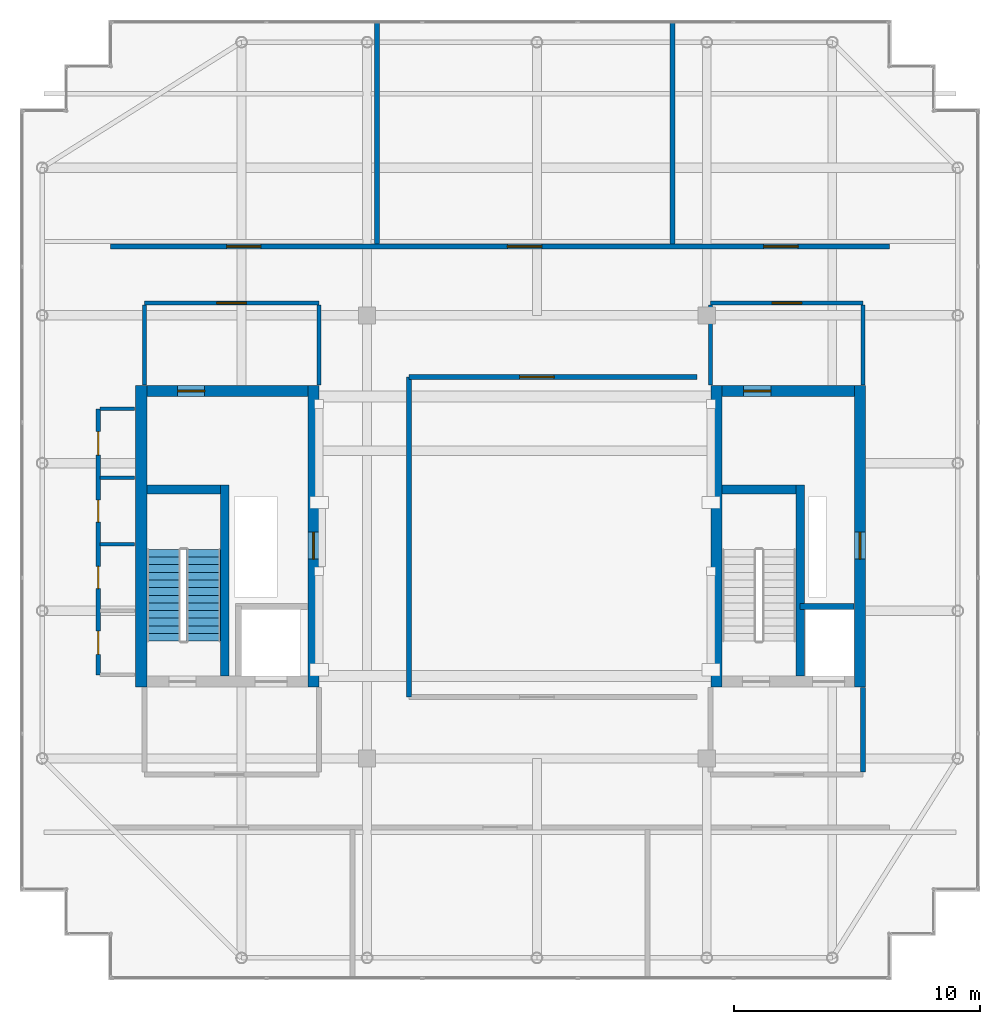
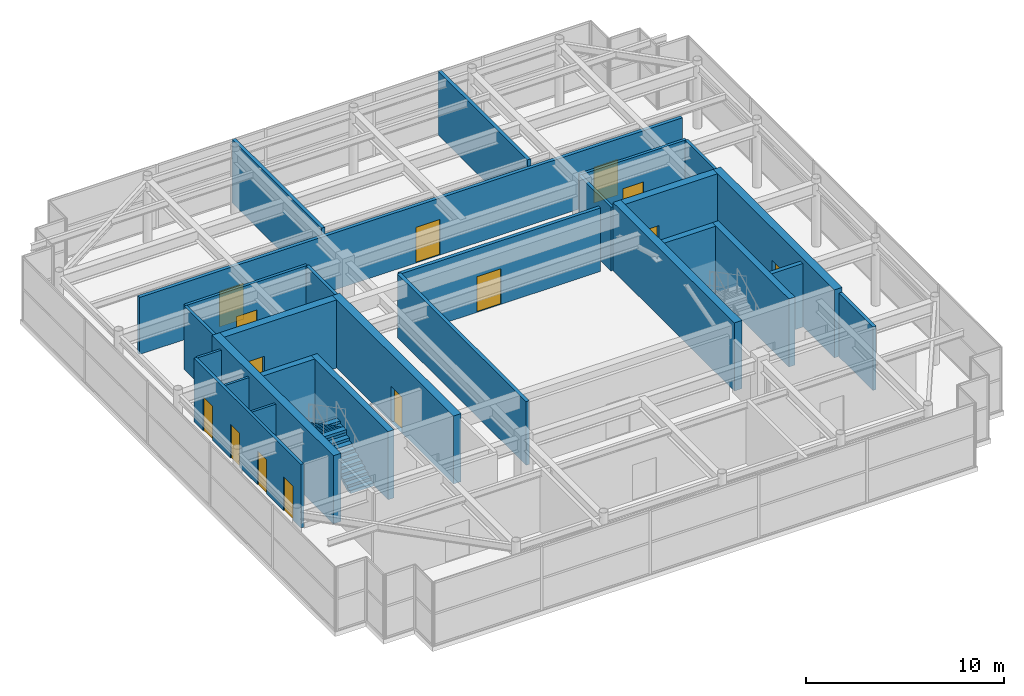
# One storey, part 31 of 33: 27 walls, 14 doors, 2 stair flights, 14 openings, 1 element without a shape of its own.
"""IFC4 building model written with IfcOpenShell, lengths in metres."""

from ifc_helpers import new_model, si_unit, direction, frame, frame_2d, origin, place, context, subcontext, project, spatial, polyline, rectangle, outline, extrude, source, transform, mapped, material, layer, layer_set, type_object, element, fill, aggregate, save


model = new_model("IFC4")

# Units and contexts
model_context = context("Model", 3, precision=1e-05, world=origin(), true_north=direction((0.0, 1.0)))
body_context = subcontext(model_context, "Body", "Model", "MODEL_VIEW")
ifc_project = project(units=[si_unit("LENGTHUNIT", "METRE"), si_unit("AREAUNIT", "SQUARE_METRE"), si_unit("VOLUMEUNIT", "CUBIC_METRE"), si_unit("PLANEANGLEUNIT", "RADIAN"), si_unit("MASSUNIT", "GRAM", prefix="KILO")], contexts=[model_context])

# Site, building, storey
site_placement = place(None, origin())
site = spatial("IfcSite", under=ifc_project, at=site_placement, CompositionType="ELEMENT")
building_placement = place(site_placement, origin())
building = spatial("IfcBuilding", under=site, at=building_placement, Name="Khoralis Quay Care Tower", CompositionType="ELEMENT")
storey_placement = place(building_placement, frame((0.0, 0.0, 302.10009765625)))
storey = spatial("IfcBuildingStorey", under=building, at=storey_placement, Name="L79", CompositionType="ELEMENT", Elevation=302.10009765625)

# Wall
ifc_material_1 = material(Name="Gypsum plasterboard on acoustic metal stud")
ifc_layer_1 = layer(ifc_material_1, 0.199951171875)
ifc_layer_set_1 = layer_set([ifc_layer_1], Name="Gypsum plasterboard on acoustic metal stud")
wall_type_1 = type_object("IfcWallType", Name="WL-COMP-200", PredefinedType="PARTITIONING", material=ifc_layer_set_1)
wall_1_placement = place(storey_placement, frame((37.25, 11.445068359375, 0.0), z_axis=(0.0, 0.0, 1.0), x_axis=(0.0, 1.0, 0.0)))
element("IfcWall", 1, at=wall_1_placement, inside=storey, type_object=wall_type_1, Name="L79 East Firefighting Lobby East Wall", PredefinedType="PARTITIONING", context=body_context, shape_type="SweptSolid", body=[
    extrude(rectangle(XDim=3.434814453125, YDim=0.199951171875, at=frame_2d((1.71728515625, 0.0))), origin(), (0.0, 0.0, 1.0), 3.919921875),
])

# Wall, openings, doors
wall_2_placement = place(storey_placement, frame((6.679931640625, 32.800048828125, 0.0), z_axis=(0.0, 0.0, 1.0), x_axis=(1.0, 0.0, 0.0)))
wall_2 = element("IfcWall", 2, at=wall_2_placement, inside=storey, type_object=wall_type_1, Name="L79 Plant Corridor North Wall", PredefinedType="PARTITIONING", context=body_context, shape_type="SweptSolid", body=[
    extrude(rectangle(XDim=31.64013671875, YDim=0.199951171875, at=frame_2d((15.820068359375, 0.0))), origin(), (0.0, 0.0, 1.0), 3.512939453125),
])
opening_1_placement = place(wall_2_placement, frame((4.7099609375, 0.0, 0.0)))
opening_1 = element("IfcOpeningElement", 3, at=opening_1_placement, cuts=wall_2, Name="Opening PD1", PredefinedType="OPENING", context=body_context, shape_type="SweptSolid", body=[
    extrude(rectangle(XDim=1.39990234375, YDim=2.199951171875, at=frame_2d((0.699951171875, 1.10009765625))), frame((0.0, 0.10986328125, 0.0), z_axis=(0.0, -1.0, 0.0), x_axis=(1.0, 0.0, 0.0)), (0.0, 0.0, 1.0), 0.219970703125),
])
opening_2_placement = place(wall_2_placement, frame((16.1201171875, 0.0, 0.0)))
opening_2 = element("IfcOpeningElement", 4, at=opening_2_placement, cuts=wall_2, Name="Opening PD1", PredefinedType="OPENING", context=body_context, shape_type="SweptSolid", body=[
    extrude(rectangle(XDim=1.39990234375, YDim=2.199951171875, at=frame_2d((0.699951171875, 1.10009765625))), frame((0.0, 0.10986328125, 0.0), z_axis=(0.0, -1.0, 0.0), x_axis=(1.0, 0.0, 0.0)), (0.0, 0.0, 1.0), 0.219970703125),
])
opening_3_placement = place(wall_2_placement, frame((26.530029296875, 0.0, 0.0)))
opening_3 = element("IfcOpeningElement", 5, at=opening_3_placement, cuts=wall_2, Name="Opening PD1", PredefinedType="OPENING", context=body_context, shape_type="SweptSolid", body=[
    extrude(rectangle(XDim=1.39990234375, YDim=2.199951171875, at=frame_2d((0.699951171875, 1.10009765625))), frame((0.0, 0.10986328125, 0.0), z_axis=(0.0, -1.0, 0.0), x_axis=(1.0, 0.0, 0.0)), (0.0, 0.0, 1.0), 0.219970703125),
])
ifc_material_2 = material(Name="Fire-rated painted steel", Category="steel")
door_type_1 = type_object("IfcDoorType", Name="DR-PLANT-1400X2200", OperationType="NOTDEFINED", PredefinedType="DOOR", material=ifc_material_2)
shared_shape_1 = source(origin(), body_context, "Body", "SweptSolid", [
    extrude(rectangle(XDim=1.39990234375, YDim=2.199951171875, at=frame_2d((0.699951171875, 1.10009765625))), frame((0.0, 0.02490234375, 0.0), z_axis=(0.0, -1.0, 0.0), x_axis=(1.0, 0.0, 0.0)), (0.0, 0.0, 1.0), 0.050048828125),
])
door_1_placement = place(opening_1_placement, origin())
door_1 = element("IfcDoor", 6, at=door_1_placement, inside=storey, type_object=door_type_1, Name="L79 Lantern Lighting Maintenance Gallery Plant Door", OperationType="DOUBLE_DOOR_SINGLE_SWING", OverallHeight=2.199951171875, OverallWidth=1.39990234375, PredefinedType="DOOR", context=body_context, shape_type="MappedRepresentation", body=[
    mapped(shared_shape_1, transform((0.0, 0.0, 0.0), scale=1.0)),
])
fill(opening_1, door_1)
door_2_placement = place(opening_2_placement, origin())
door_2 = element("IfcDoor", 7, at=door_2_placement, inside=storey, type_object=door_type_1, Name="L79 Smoke Extract Fan Plant Plant Door", OperationType="DOUBLE_DOOR_SINGLE_SWING", OverallHeight=2.199951171875, OverallWidth=1.39990234375, PredefinedType="DOOR", context=body_context, shape_type="MappedRepresentation", body=[
    mapped(shared_shape_1, transform((0.0, 0.0, 0.0), scale=1.0)),
])
fill(opening_2, door_2)
door_3_placement = place(opening_3_placement, origin())
door_3 = element("IfcDoor", 8, at=door_3_placement, inside=storey, type_object=door_type_1, Name="L79 Tuned Liquid Damper Hall Plant Door", OperationType="DOUBLE_DOOR_SINGLE_SWING", OverallHeight=2.199951171875, OverallWidth=1.39990234375, PredefinedType="DOOR", context=body_context, shape_type="MappedRepresentation", body=[
    mapped(shared_shape_1, transform((0.0, 0.0, 0.0), scale=1.0)),
])
fill(opening_3, door_3)

# Wall, opening, door
wall_3_placement = place(storey_placement, frame((18.800048828125, 27.5, 0.0), z_axis=(0.0, 0.0, 1.0), x_axis=(1.0, 0.0, 0.0)))
wall_3 = element("IfcWall", 9, at=wall_3_placement, inside=storey, type_object=wall_type_1, Name="L79 Central Plant North Wall", PredefinedType="PARTITIONING", context=body_context, shape_type="SweptSolid", body=[
    extrude(rectangle(XDim=11.699951171875, YDim=0.199951171875, at=frame_2d((5.85009765625, 0.0))), origin(), (0.0, 0.0, 1.0), 3.919921875),
])
opening_4_placement = place(wall_3_placement, frame((4.5, 0.0, 0.0)))
opening_4 = element("IfcOpeningElement", 10, at=opening_4_placement, cuts=wall_3, Name="Opening PD1", PredefinedType="OPENING", context=body_context, shape_type="SweptSolid", body=[
    extrude(rectangle(XDim=1.39990234375, YDim=2.199951171875, at=frame_2d((0.699951171875, 1.10009765625))), frame((0.0, 0.10986328125, 0.0), z_axis=(0.0, -1.0, 0.0), x_axis=(1.0, 0.0, 0.0)), (0.0, 0.0, 1.0), 0.219970703125),
])
door_4_placement = place(opening_4_placement, frame((1.39990234375, 0.0, 0.0), z_axis=(0.0, 0.0, 1.0), x_axis=(-1.0, 0.0, 0.0)))
door_4 = element("IfcDoor", 11, at=door_4_placement, inside=storey, type_object=door_type_1, Name="L79 Central Plant North Door", OperationType="DOUBLE_DOOR_SINGLE_SWING", OverallHeight=2.199951171875, OverallWidth=1.39990234375, PredefinedType="DOOR", context=body_context, shape_type="MappedRepresentation", body=[
    mapped(shared_shape_1, transform((0.0, 0.0, 0.0), scale=1.0)),
])
fill(opening_4, door_4)

# Walls
for number, where, z_axis, x_axis, name in (
    (12, (17.5, 32.89501953125, 0.0), (0.0, 0.0, 1.0), (0.0, 1.0, 0.0), "L79 North Plant Divider 1"),
    (13, (29.5, 32.89501953125, 0.0), (0.0, 0.0, 1.0), (0.0, 1.0, 0.0), "L79 North Plant Divider 2"),
):
    element("IfcWall", number, at=place(storey_placement, frame(where, z_axis=z_axis, x_axis=x_axis)), inside=storey, type_object=wall_type_1, Name=name, PredefinedType="PARTITIONING", context=body_context, shape_type="SweptSolid", body=[
        extrude(rectangle(XDim=9.02001953125, YDim=0.199951171875, at=frame_2d((4.510009765625, 0.0))), origin(), (0.0, 0.0, 1.0), 3.919921875),
    ])
wall_4_placement = place(storey_placement, frame((18.800048828125, 14.5, 0.0), z_axis=(0.0, 0.0, 1.0), x_axis=(0.0, 1.0, 0.0)))
element("IfcWall", 14, at=wall_4_placement, inside=storey, type_object=wall_type_1, Name="L79 Central Plant West Corridor Wall", PredefinedType="PARTITIONING", context=body_context, shape_type="SweptSolid", body=[
    extrude(rectangle(XDim=13.0, YDim=0.199951171875, at=frame_2d((6.5, 0.0))), origin(), (0.0, 0.0, 1.0), 3.919921875),
])
ifc_material_3 = material(Name="Concrete C50/60", Category="concrete")
ifc_layer_2 = layer(ifc_material_3, 0.449951171875)
ifc_layer_set_2 = layer_set([ifc_layer_2], Name="Concrete C50/60")
wall_type_2 = type_object("IfcWallType", Name="WL-CORE-450", PredefinedType="SHEAR", material=ifc_layer_set_2)
wall_5_placement = place(storey_placement, frame((7.925048828125, 14.89990234375, 0.0), z_axis=(0.0, 0.0, 1.0), x_axis=(0.0, 1.0, 0.0)))
element("IfcWall", 15, at=wall_5_placement, inside=storey, type_object=wall_type_2, Name="L79 WCORE West Shear Wall", PredefinedType="SHEAR", context=body_context, shape_type="SweptSolid", body=[
    extrude(rectangle(XDim=12.25, YDim=0.449951171875, at=frame_2d((6.125, 0.0))), origin(), (0.0, 0.0, 1.0), 4.199951171875),
])

# Wall, opening, door
wall_6_placement = place(storey_placement, frame((14.925048828125, 14.89990234375, 0.0), z_axis=(0.0, 0.0, 1.0), x_axis=(0.0, 1.0, 0.0)))
wall_6 = element("IfcWall", 16, at=wall_6_placement, inside=storey, type_object=wall_type_2, Name="L79 WCORE East Shear Wall", PredefinedType="SHEAR", context=body_context, shape_type="SweptSolid", body=[
    extrude(rectangle(XDim=12.25, YDim=0.449951171875, at=frame_2d((6.125, 0.0))), origin(), (0.0, 0.0, 1.0), 4.199951171875),
])
opening_5_placement = place(wall_6_placement, frame((5.199951171875, 0.0, 0.0)))
opening_5 = element("IfcOpeningElement", 17, at=opening_5_placement, cuts=wall_6, Name="Opening SD1", PredefinedType="OPENING", context=body_context, shape_type="SweptSolid", body=[
    extrude(rectangle(XDim=1.10009765625, YDim=2.199951171875, at=frame_2d((0.550048828125, 1.10009765625))), frame((0.0, 0.23486328125, 0.0), z_axis=(0.0, -1.0, 0.0), x_axis=(1.0, 0.0, 0.0)), (0.0, 0.0, 1.0), 0.469970703125),
])
door_type_2 = type_object("IfcDoorType", Name="DR-STAIR-1100X2200", OperationType="NOTDEFINED", PredefinedType="DOOR", material=ifc_material_2)
shared_shape_2 = source(origin(), body_context, "Body", "SweptSolid", [
    extrude(rectangle(XDim=1.10009765625, YDim=2.199951171875, at=frame_2d((0.550048828125, 1.10009765625))), frame((0.0, 0.02490234375, 0.0), z_axis=(0.0, -1.0, 0.0), x_axis=(1.0, 0.0, 0.0)), (0.0, 0.0, 1.0), 0.050048828125),
])
door_5_placement = place(opening_5_placement, origin())
door_5 = element("IfcDoor", 18, at=door_5_placement, inside=storey, type_object=door_type_2, Name="L79 West MEP Riser Door", OperationType="SINGLE_SWING_LEFT", OverallHeight=2.199951171875, OverallWidth=1.10009765625, PredefinedType="DOOR", context=body_context, shape_type="MappedRepresentation", body=[
    mapped(shared_shape_2, transform((0.0, 0.0, 0.0), scale=1.0)),
])
fill(opening_5, door_5)

wall_7_placement = place(storey_placement, frame((8.14990234375, 26.925048828125, 0.0), z_axis=(0.0, 0.0, 1.0), x_axis=(1.0, 0.0, 0.0)))
wall_7 = element("IfcWall", 19, at=wall_7_placement, inside=storey, type_object=wall_type_2, Name="L79 WCORE North Shear Wall", PredefinedType="SHEAR", context=body_context, shape_type="SweptSolid", body=[
    extrude(rectangle(XDim=6.550048828125, YDim=0.449951171875, at=frame_2d((3.27490234375, 0.0))), origin(), (0.0, 0.0, 1.0), 4.199951171875),
])
opening_6_placement = place(wall_7_placement, frame((1.25, 0.0, 0.0)))
opening_6 = element("IfcOpeningElement", 20, at=opening_6_placement, cuts=wall_7, Name="Opening SD1", PredefinedType="OPENING", context=body_context, shape_type="SweptSolid", body=[
    extrude(rectangle(XDim=1.10009765625, YDim=2.199951171875, at=frame_2d((0.550048828125, 1.10009765625))), frame((0.0, 0.23486328125, 0.0), z_axis=(0.0, -1.0, 0.0), x_axis=(1.0, 0.0, 0.0)), (0.0, 0.0, 1.0), 0.469970703125),
])
door_6_placement = place(opening_6_placement, frame((1.10009765625, 0.0, 0.0), z_axis=(0.0, 0.0, 1.0), x_axis=(-1.0, 0.0, 0.0)))
door_6 = element("IfcDoor", 21, at=door_6_placement, inside=storey, type_object=door_type_2, Name="L79 West Machine Room Door", OperationType="SINGLE_SWING_LEFT", OverallHeight=2.199951171875, OverallWidth=1.10009765625, PredefinedType="DOOR", context=body_context, shape_type="MappedRepresentation", body=[
    mapped(shared_shape_2, transform((0.0, 0.0, 0.0), scale=1.0)),
])
fill(opening_6, door_6)

# Wall
wall_8_placement = place(storey_placement, frame((31.294921875, 14.89990234375, 0.0), z_axis=(0.0, 0.0, 1.0), x_axis=(0.0, 1.0, 0.0)))
element("IfcWall", 22, at=wall_8_placement, inside=storey, type_object=wall_type_2, Name="L79 ECORE West Shear Wall", PredefinedType="SHEAR", context=body_context, shape_type="SweptSolid", body=[
    extrude(rectangle(XDim=12.25, YDim=0.449951171875, at=frame_2d((6.125, 0.0))), origin(), (0.0, 0.0, 1.0), 4.199951171875),
])

# Wall, opening, door
wall_9_placement = place(storey_placement, frame((37.125, 14.89990234375, 0.0), z_axis=(0.0, 0.0, 1.0), x_axis=(0.0, 1.0, 0.0)))
wall_9 = element("IfcWall", 23, at=wall_9_placement, inside=storey, type_object=wall_type_2, Name="L79 ECORE East Shear Wall", PredefinedType="SHEAR", context=body_context, shape_type="SweptSolid", body=[
    extrude(rectangle(XDim=12.25, YDim=0.449951171875, at=frame_2d((6.125, 0.0))), origin(), (0.0, 0.0, 1.0), 4.199951171875),
])
opening_7_placement = place(wall_9_placement, frame((5.199951171875, 0.0, 0.0)))
opening_7 = element("IfcOpeningElement", 24, at=opening_7_placement, cuts=wall_9, Name="Opening SD1", PredefinedType="OPENING", context=body_context, shape_type="SweptSolid", body=[
    extrude(rectangle(XDim=1.10009765625, YDim=2.199951171875, at=frame_2d((0.550048828125, 1.10009765625))), frame((0.0, 0.23486328125, 0.0), z_axis=(0.0, -1.0, 0.0), x_axis=(1.0, 0.0, 0.0)), (0.0, 0.0, 1.0), 0.469970703125),
])
door_7_placement = place(opening_7_placement, frame((1.10009765625, 0.0, 0.0), z_axis=(0.0, 0.0, 1.0), x_axis=(-1.0, 0.0, 0.0)))
door_7 = element("IfcDoor", 25, at=door_7_placement, inside=storey, type_object=door_type_2, Name="L79 East MEP Riser Door", OperationType="SINGLE_SWING_RIGHT", OverallHeight=2.199951171875, OverallWidth=1.10009765625, PredefinedType="DOOR", context=body_context, shape_type="MappedRepresentation", body=[
    mapped(shared_shape_2, transform((0.0, 0.0, 0.0), scale=1.0)),
])
fill(opening_7, door_7)

wall_10_placement = place(storey_placement, frame((31.52001953125, 26.925048828125, 0.0), z_axis=(0.0, 0.0, 1.0), x_axis=(1.0, 0.0, 0.0)))
wall_10 = element("IfcWall", 26, at=wall_10_placement, inside=storey, type_object=wall_type_2, Name="L79 ECORE North Shear Wall", PredefinedType="SHEAR", context=body_context, shape_type="SweptSolid", body=[
    extrude(rectangle(XDim=5.3798828125, YDim=0.449951171875, at=frame_2d((2.68994140625, 0.0))), origin(), (0.0, 0.0, 1.0), 4.199951171875),
])
opening_8_placement = place(wall_10_placement, frame((0.8798828125, 0.0, 0.0)))
opening_8 = element("IfcOpeningElement", 27, at=opening_8_placement, cuts=wall_10, Name="Opening SD1", PredefinedType="OPENING", context=body_context, shape_type="SweptSolid", body=[
    extrude(rectangle(XDim=1.10009765625, YDim=2.199951171875, at=frame_2d((0.550048828125, 1.10009765625))), frame((0.0, 0.23486328125, 0.0), z_axis=(0.0, -1.0, 0.0), x_axis=(1.0, 0.0, 0.0)), (0.0, 0.0, 1.0), 0.469970703125),
])
door_8_placement = place(opening_8_placement, frame((1.10009765625, 0.0, 0.0), z_axis=(0.0, 0.0, 1.0), x_axis=(-1.0, 0.0, 0.0)))
door_8 = element("IfcDoor", 28, at=door_8_placement, inside=storey, type_object=door_type_2, Name="L79 East Machine Room Door", OperationType="SINGLE_SWING_RIGHT", OverallHeight=2.199951171875, OverallWidth=1.10009765625, PredefinedType="DOOR", context=body_context, shape_type="MappedRepresentation", body=[
    mapped(shared_shape_2, transform((0.0, 0.0, 0.0), scale=1.0)),
])
fill(opening_8, door_8)

ifc_layer_3 = layer(ifc_material_1, 0.1650390625)
ifc_layer_set_3 = layer_set([ifc_layer_3], Name="Gypsum plasterboard on acoustic metal stud")
wall_type_3 = type_object("IfcWallType", Name="WL-CORR-165", PredefinedType="PARTITIONING", material=ifc_layer_set_3)
wall_11_placement = place(storey_placement, frame((8.050048828125, 30.5, 0.0), z_axis=(0.0, 0.0, 1.0), x_axis=(1.0, 0.0, 0.0)))
wall_11 = element("IfcWall", 29, at=wall_11_placement, inside=storey, type_object=wall_type_3, Name="L79 West Lift Lobby North Wall", PredefinedType="PARTITIONING", context=body_context, shape_type="SweptSolid", body=[
    extrude(rectangle(XDim=7.099853515625, YDim=0.1650390625, at=frame_2d((3.5498046875, 0.0))), origin(), (0.0, 0.0, 1.0), 3.919921875),
])
opening_9_placement = place(wall_11_placement, frame((2.949951171875, 0.0, 0.0)))
opening_9 = element("IfcOpeningElement", 30, at=opening_9_placement, cuts=wall_11, Name="Opening FD1", PredefinedType="OPENING", context=body_context, shape_type="SweptSolid", body=[
    extrude(rectangle(XDim=1.199951171875, YDim=2.199951171875, at=frame_2d((0.60009765625, 1.10009765625))), frame((0.0, 0.092529296875, 0.0), z_axis=(0.0, -1.0, 0.0), x_axis=(1.0, 0.0, 0.0)), (0.0, 0.0, 1.0), 0.18505859375),
])
door_type_3 = type_object("IfcDoorType", Name="DR-FFL-1200X2200", OperationType="NOTDEFINED", PredefinedType="DOOR", material=ifc_material_2)
shared_shape_3 = source(origin(), body_context, "Body", "SweptSolid", [
    extrude(rectangle(XDim=1.199951171875, YDim=2.199951171875, at=frame_2d((0.60009765625, 1.10009765625))), frame((0.0, 0.02490234375, 0.0), z_axis=(0.0, -1.0, 0.0), x_axis=(1.0, 0.0, 0.0)), (0.0, 0.0, 1.0), 0.050048828125),
])
door_9_placement = place(opening_9_placement, origin())
door_9 = element("IfcDoor", 31, at=door_9_placement, inside=storey, type_object=door_type_3, Name="L79 West Lift Lobby Double Door", OperationType="DOUBLE_DOOR_SINGLE_SWING", OverallHeight=2.199951171875, OverallWidth=1.199951171875, PredefinedType="DOOR", context=body_context, shape_type="MappedRepresentation", body=[
    mapped(shared_shape_3, transform((0.0, 0.0, 0.0), scale=1.0)),
])
fill(opening_9, door_9)

# Walls
for number, where, z_axis, x_axis, name in (
    (32, (8.050048828125, 27.169921875, 0.0), (0.0, 0.0, 1.0), (0.0, 1.0, 0.0), "L79 West Lift Lobby West Wall"),
    (33, (15.14990234375, 27.169921875, 0.0), (0.0, 0.0, 1.0), (0.0, 1.0, 0.0), "L79 West Lift Lobby East Wall"),
):
    element("IfcWall", number, at=place(storey_placement, frame(where, z_axis=z_axis, x_axis=x_axis)), inside=storey, type_object=wall_type_3, Name=name, PredefinedType="PARTITIONING", context=body_context, shape_type="SweptSolid", body=[
        extrude(rectangle(XDim=3.252685546875, YDim=0.1650390625, at=frame_2d((1.62646484375, 0.0))), origin(), (0.0, 0.0, 1.0), 3.919921875),
    ])

# Wall, opening, door
wall_12_placement = place(storey_placement, frame((31.050048828125, 30.5, 0.0), z_axis=(0.0, 0.0, 1.0), x_axis=(1.0, 0.0, 0.0)))
wall_12 = element("IfcWall", 34, at=wall_12_placement, inside=storey, type_object=wall_type_3, Name="L79 East Lift Lobby North Wall", PredefinedType="PARTITIONING", context=body_context, shape_type="SweptSolid", body=[
    extrude(rectangle(XDim=6.199951171875, YDim=0.1650390625, at=frame_2d((3.10009765625, 0.0))), origin(), (0.0, 0.0, 1.0), 3.919921875),
])
opening_10_placement = place(wall_12_placement, frame((2.5, 0.0, 0.0)))
opening_10 = element("IfcOpeningElement", 35, at=opening_10_placement, cuts=wall_12, Name="Opening FD1", PredefinedType="OPENING", context=body_context, shape_type="SweptSolid", body=[
    extrude(rectangle(XDim=1.199951171875, YDim=2.199951171875, at=frame_2d((0.60009765625, 1.10009765625))), frame((0.0, 0.092529296875, 0.0), z_axis=(0.0, -1.0, 0.0), x_axis=(1.0, 0.0, 0.0)), (0.0, 0.0, 1.0), 0.18505859375),
])
door_10_placement = place(opening_10_placement, origin())
door_10 = element("IfcDoor", 36, at=door_10_placement, inside=storey, type_object=door_type_3, Name="L79 East Lift Lobby Double Door", OperationType="DOUBLE_DOOR_SINGLE_SWING", OverallHeight=2.199951171875, OverallWidth=1.199951171875, PredefinedType="DOOR", context=body_context, shape_type="MappedRepresentation", body=[
    mapped(shared_shape_3, transform((0.0, 0.0, 0.0), scale=1.0)),
])
fill(opening_10, door_10)

# Walls
for number, where, z_axis, x_axis, name in (
    (37, (31.050048828125, 27.169921875, 0.0), (0.0, 0.0, 1.0), (0.0, 1.0, 0.0), "L79 East Lift Lobby West Wall"),
    (38, (37.25, 27.169921875, 0.0), (0.0, 0.0, 1.0), (0.0, 1.0, 0.0), "L79 East Lift Lobby East Wall"),
):
    element("IfcWall", number, at=place(storey_placement, frame(where, z_axis=z_axis, x_axis=x_axis)), inside=storey, type_object=wall_type_3, Name=name, PredefinedType="PARTITIONING", context=body_context, shape_type="SweptSolid", body=[
        extrude(rectangle(XDim=3.252685546875, YDim=0.1650390625, at=frame_2d((1.62646484375, 0.0))), origin(), (0.0, 0.0, 1.0), 3.919921875),
    ])

# Wall, openings, doors
wall_13_placement = place(storey_placement, frame((6.179931640625, 15.39990234375, 0.0), z_axis=(0.0, 0.0, 1.0), x_axis=(0.0, 1.0, 0.0)))
wall_13 = element("IfcWall", 39, at=wall_13_placement, inside=storey, type_object=wall_type_3, Name="L79 West Core Service Flank Wall", PredefinedType="PARTITIONING", context=body_context, shape_type="SweptSolid", body=[
    extrude(rectangle(XDim=10.800048828125, YDim=0.1650390625, at=frame_2d((5.39990234375, 0.0))), origin(), (0.0, 0.0, 1.0), 3.919921875),
])
opening_11_placement = place(wall_13_placement, frame((0.824951171875, 0.0, 0.0)))
opening_11 = element("IfcOpeningElement", 40, at=opening_11_placement, cuts=wall_13, Name="Opening ID1", PredefinedType="OPENING", context=body_context, shape_type="SweptSolid", body=[
    extrude(rectangle(XDim=0.949951171875, YDim=2.10009765625, at=frame_2d((0.47509765625, 1.050048828125))), frame((0.0, 0.092529296875, 0.0), z_axis=(0.0, -1.0, 0.0), x_axis=(1.0, 0.0, 0.0)), (0.0, 0.0, 1.0), 0.18505859375),
])
opening_12_placement = place(wall_13_placement, frame((3.5, 0.0, 0.0)))
opening_12 = element("IfcOpeningElement", 41, at=opening_12_placement, cuts=wall_13, Name="Opening WD1", PredefinedType="OPENING", context=body_context, shape_type="SweptSolid", body=[
    extrude(rectangle(XDim=0.89990234375, YDim=2.10009765625, at=frame_2d((0.449951171875, 1.050048828125))), frame((0.0, 0.092529296875, 0.0), z_axis=(0.0, -1.0, 0.0), x_axis=(1.0, 0.0, 0.0)), (0.0, 0.0, 1.0), 0.18505859375),
])
opening_13_placement = place(wall_13_placement, frame((6.199951171875, 0.0, 0.0)))
opening_13 = element("IfcOpeningElement", 42, at=opening_13_placement, cuts=wall_13, Name="Opening WD1", PredefinedType="OPENING", context=body_context, shape_type="SweptSolid", body=[
    extrude(rectangle(XDim=0.89990234375, YDim=2.10009765625, at=frame_2d((0.449951171875, 1.050048828125))), frame((0.0, 0.092529296875, 0.0), z_axis=(0.0, -1.0, 0.0), x_axis=(1.0, 0.0, 0.0)), (0.0, 0.0, 1.0), 0.18505859375),
])
opening_14_placement = place(wall_13_placement, frame((8.925048828125, 0.0, 0.0)))
opening_14 = element("IfcOpeningElement", 43, at=opening_14_placement, cuts=wall_13, Name="Opening ID1", PredefinedType="OPENING", context=body_context, shape_type="SweptSolid", body=[
    extrude(rectangle(XDim=0.949951171875, YDim=2.10009765625, at=frame_2d((0.47509765625, 1.050048828125))), frame((0.0, 0.092529296875, 0.0), z_axis=(0.0, -1.0, 0.0), x_axis=(1.0, 0.0, 0.0)), (0.0, 0.0, 1.0), 0.18505859375),
])
ifc_material_4 = material(Name="Acoustic hardwood timber", Category="wood")
door_type_4 = type_object("IfcDoorType", Name="DR-BATH-900X2100", OperationType="NOTDEFINED", PredefinedType="DOOR", material=ifc_material_4)
shared_shape_4 = source(origin(), body_context, "Body", "SweptSolid", [
    extrude(rectangle(XDim=0.89990234375, YDim=2.10009765625, at=frame_2d((0.449951171875, 1.050048828125))), frame((0.0, 0.02490234375, 0.0), z_axis=(0.0, -1.0, 0.0), x_axis=(1.0, 0.0, 0.0)), (0.0, 0.0, 1.0), 0.050048828125),
])
door_11_placement = place(opening_12_placement, frame((0.89990234375, 0.0, 0.0), z_axis=(0.0, 0.0, 1.0), x_axis=(-1.0, 0.0, 0.0)))
door_11 = element("IfcDoor", 44, at=door_11_placement, inside=storey, type_object=door_type_4, Name="L79 Public Accessible WC Door", OperationType="SINGLE_SWING_LEFT", OverallHeight=2.10009765625, OverallWidth=0.89990234375, PredefinedType="DOOR", context=body_context, shape_type="MappedRepresentation", body=[
    mapped(shared_shape_4, transform((0.0, 0.0, 0.0), scale=1.0)),
])
fill(opening_12, door_11)
door_12_placement = place(opening_13_placement, frame((0.89990234375, 0.0, 0.0), z_axis=(0.0, 0.0, 1.0), x_axis=(-1.0, 0.0, 0.0)))
door_12 = element("IfcDoor", 45, at=door_12_placement, inside=storey, type_object=door_type_4, Name="L79 Staff Accessible WC Door", OperationType="SINGLE_SWING_RIGHT", OverallHeight=2.10009765625, OverallWidth=0.89990234375, PredefinedType="DOOR", context=body_context, shape_type="MappedRepresentation", body=[
    mapped(shared_shape_4, transform((0.0, 0.0, 0.0), scale=1.0)),
])
fill(opening_13, door_12)
door_type_5 = type_object("IfcDoorType", Name="DR-ROOM-950X2100", OperationType="NOTDEFINED", PredefinedType="DOOR", material=ifc_material_4)
shared_shape_5 = source(origin(), body_context, "Body", "SweptSolid", [
    extrude(rectangle(XDim=0.949951171875, YDim=2.10009765625, at=frame_2d((0.47509765625, 1.050048828125))), frame((0.0, 0.02490234375, 0.0), z_axis=(0.0, -1.0, 0.0), x_axis=(1.0, 0.0, 0.0)), (0.0, 0.0, 1.0), 0.050048828125),
])
door_13_placement = place(opening_11_placement, frame((0.949951171875, 0.0, 0.0), z_axis=(0.0, 0.0, 1.0), x_axis=(-1.0, 0.0, 0.0)))
door_13 = element("IfcDoor", 46, at=door_13_placement, inside=storey, type_object=door_type_5, Name="L79 Housekeeping Store Door", OperationType="SINGLE_SWING_RIGHT", OverallHeight=2.10009765625, OverallWidth=0.949951171875, PredefinedType="DOOR", context=body_context, shape_type="MappedRepresentation", body=[
    mapped(shared_shape_5, transform((0.0, 0.0, 0.0), scale=1.0)),
])
fill(opening_11, door_13)
door_14_placement = place(opening_14_placement, frame((0.949951171875, 0.0, 0.0), z_axis=(0.0, 0.0, 1.0), x_axis=(-1.0, 0.0, 0.0)))
door_14 = element("IfcDoor", 47, at=door_14_placement, inside=storey, type_object=door_type_5, Name="L79 Telecom IDF Room Door", OperationType="SINGLE_SWING_LEFT", OverallHeight=2.10009765625, OverallWidth=0.949951171875, PredefinedType="DOOR", context=body_context, shape_type="MappedRepresentation", body=[
    mapped(shared_shape_5, transform((0.0, 0.0, 0.0), scale=1.0)),
])
fill(opening_14, door_14)

# Walls
ifc_material_5 = material(Name="Moisture-resistant gypsum and ceramic tile")
ifc_layer_4 = layer(ifc_material_5, 0.280029296875)
ifc_layer_set_4 = layer_set([ifc_layer_4], Name="Moisture-resistant gypsum and ceramic tile")
wall_type_4 = type_object("IfcWallType", Name="WL-PLUMB-280", PredefinedType="PLUMBINGWALL", material=ifc_layer_set_4)
wall_14_placement = place(storey_placement, frame((6.257568359375, 20.699951171875, 0.0), z_axis=(0.0, 0.0, 1.0), x_axis=(1.0, 0.0, 0.0)))
element("IfcWall", 48, at=wall_14_placement, inside=storey, type_object=wall_type_4, Name="L79 West Flank Divider 2", PredefinedType="PLUMBINGWALL", context=body_context, shape_type="SweptSolid", body=[
    extrude(rectangle(XDim=1.40234375, YDim=0.139892578125, at=frame_2d((0.701171875, 0.0))), origin(), (0.0, 0.0, 1.0), 3.919921875),
])
ifc_material_6 = material(Name="Concrete C40/50", Category="concrete")
ifc_layer_5 = layer(ifc_material_6, 0.35009765625)
ifc_layer_set_5 = layer_set([ifc_layer_5], Name="Concrete C40/50")
wall_type_5 = type_object("IfcWallType", Name="WL-SC-CORE-350", PredefinedType="SHEAR", material=ifc_layer_set_5)
wall_15_placement = place(storey_placement, frame((11.324951171875, 15.35009765625, 0.0), z_axis=(0.0, 0.0, 1.0), x_axis=(0.0, 1.0, 0.0)))
element("IfcWall", 49, at=wall_15_placement, inside=storey, type_object=wall_type_5, Name="L79 Stair ST-T1 Shear Baffle Wall East", PredefinedType="SHEAR", context=body_context, shape_type="SweptSolid", body=[
    extrude(rectangle(XDim=7.75, YDim=0.35009765625, at=frame_2d((3.875, 0.0))), origin(), (0.0, 0.0, 1.0), 4.199951171875),
])
wall_16_placement = place(storey_placement, frame((8.14990234375, 22.925048828125, 0.0), z_axis=(0.0, 0.0, 1.0), x_axis=(1.0, 0.0, 0.0)))
element("IfcWall", 50, at=wall_16_placement, inside=storey, type_object=wall_type_5, Name="L79 Stair ST-T1 Shear Baffle Wall North", PredefinedType="SHEAR", context=body_context, shape_type="SweptSolid", body=[
    extrude(rectangle(XDim=3.0, YDim=0.35009765625, at=frame_2d((1.5, 0.0))), origin(), (0.0, 0.0, 1.0), 4.199951171875),
])
wall_17_placement = place(storey_placement, frame((34.695068359375, 15.35009765625, 0.0), z_axis=(0.0, 0.0, 1.0), x_axis=(0.0, 1.0, 0.0)))
element("IfcWall", 51, at=wall_17_placement, inside=storey, type_object=wall_type_5, Name="L79 Stair ST-T2 Shear Baffle Wall East", PredefinedType="SHEAR", context=body_context, shape_type="SweptSolid", body=[
    extrude(rectangle(XDim=7.75, YDim=0.35009765625, at=frame_2d((3.875, 0.0))), origin(), (0.0, 0.0, 1.0), 4.199951171875),
])
wall_18_placement = place(storey_placement, frame((31.52001953125, 22.925048828125, 0.0), z_axis=(0.0, 0.0, 1.0), x_axis=(1.0, 0.0, 0.0)))
element("IfcWall", 52, at=wall_18_placement, inside=storey, type_object=wall_type_5, Name="L79 Stair ST-T2 Shear Baffle Wall North", PredefinedType="SHEAR", context=body_context, shape_type="SweptSolid", body=[
    extrude(rectangle(XDim=3.0, YDim=0.35009765625, at=frame_2d((1.5, 0.0))), origin(), (0.0, 0.0, 1.0), 4.199951171875),
])
ifc_layer_6 = layer(ifc_material_1, 0.239990234375)
ifc_layer_set_6 = layer_set([ifc_layer_6], Name="Gypsum plasterboard on acoustic metal stud")
wall_type_6 = type_object("IfcWallType", Name="WL-SHAFT-240", PredefinedType="PARTITIONING", material=ifc_layer_set_6)
wall_19_placement = place(storey_placement, frame((34.679931640625, 18.169921875, 0.0), z_axis=(0.0, 0.0, 1.0), x_axis=(1.0, 0.0, 0.0)))
element("IfcWall", 53, at=wall_19_placement, inside=storey, type_object=wall_type_6, Name="L79 FFL-2 Shaft Wall North", PredefinedType="PARTITIONING", context=body_context, shape_type="SweptSolid", body=[
    extrude(rectangle(XDim=2.199951171875, YDim=0.239990234375, at=frame_2d((1.10009765625, 0.0))), origin(), (0.0, 0.0, 1.0), 3.919921875),
])
ifc_layer_7 = layer(ifc_material_1, 0.139892578125)
ifc_layer_set_7 = layer_set([ifc_layer_7], Name="Gypsum plasterboard on acoustic metal stud")
wall_type_7 = type_object("IfcWallType", Name="WL-UNIT-140", PredefinedType="PARTITIONING", material=ifc_layer_set_7)
for number, where, z_axis, x_axis, name in (
    (54, (6.257568359375, 26.199951171875, 0.0), (0.0, 0.0, 1.0), (1.0, 0.0, 0.0), "L79 West Flank North Cap"),
    (55, (6.257568359375, 23.39990234375, 0.0), (0.0, 0.0, 1.0), (1.0, 0.0, 0.0), "L79 West Flank Divider 3"),
):
    element("IfcWall", number, at=place(storey_placement, frame(where, z_axis=z_axis, x_axis=x_axis)), inside=storey, type_object=wall_type_7, Name=name, PredefinedType="PARTITIONING", context=body_context, shape_type="SweptSolid", body=[
        extrude(rectangle(XDim=1.40234375, YDim=0.139892578125, at=frame_2d((0.701171875, 0.0))), origin(), (0.0, 0.0, 1.0), 3.919921875),
    ])

# Stair, stair flights
ifc_material_7 = material(Name="Precast concrete C45/55", Category="concrete")
stair_type = type_object("IfcStairType", Name="ST-TWR-DOGLEG-1400", PredefinedType="HALF_TURN_STAIR", material=ifc_material_7)
stair_placement = place(storey_placement, origin())
stair = element("IfcStair", 56, at=stair_placement, inside=storey, type_object=stair_type, Name="L79 West Core Exit Stair ST-T1", PredefinedType="HALF_TURN_STAIR")
stair_flight_type = type_object("IfcStairFlightType", Name="SF-TWR-1400", PredefinedType="STRAIGHT", material=ifc_material_7)
shared_shape_6 = source(origin(), body_context, "Body", "SweptSolid", [
    extrude(outline(polyline([(0.0, 0.0), (0.0, 0.16162109375), (0.31005859375, 0.16162109375), (0.31005859375, 0.322998046875), (0.6201171875, 0.322998046875), (0.6201171875, 0.484619140625), (0.929931640625, 0.484619140625), (0.929931640625, 0.646240234375), (1.239990234375, 0.646240234375), (1.239990234375, 0.8076171875), (1.550048828125, 0.8076171875), (1.550048828125, 0.96923828125), (1.860107421875, 0.96923828125), (1.860107421875, 1.130859375), (2.169921875, 1.130859375), (2.169921875, 1.292236328125), (2.47998046875, 1.292236328125), (2.47998046875, 1.453857421875), (2.7900390625, 1.453857421875), (2.7900390625, 1.615478515625), (3.10009765625, 1.615478515625), (3.10009765625, 1.77685546875), (3.409912109375, 1.77685546875), (3.409912109375, 1.9384765625), (3.719970703125, 1.9384765625), (3.719970703125, 2.10009765625), (3.719970703125, 1.76953125), (0.324462890625, 0.0), (0.0, 0.0)])), frame((0.0, 0.68994140625, 0.0), z_axis=(0.0, -1.0, 0.0), x_axis=(1.0, 0.0, 0.0)), (0.0, 0.0, 1.0), 1.3798828125),
])
stair_flight_1_placement = place(storey_placement, frame((10.4599609375, 16.77001953125, 0.0), z_axis=(0.0, 0.0, 1.0), x_axis=(0.0, 1.0, 0.0)))
stair_flight_1 = element("IfcStairFlight", 57, at=stair_flight_1_placement, type_object=stair_flight_type, Name="ST-T1 flight 1", NumberOfRisers=13, NumberOfTreads=12, PredefinedType="STRAIGHT", RiserHeight=0.161538462, TreadLength=0.31, context=body_context, shape_type="MappedRepresentation", body=[
    mapped(shared_shape_6, transform((0.0, 0.0, 0.0), scale=1.0)),
])
stair_flight_2_placement = place(storey_placement, frame((8.840087890625, 20.489990234375, 2.099853515625), z_axis=(0.0, 0.0, 1.0), x_axis=(0.0, -1.0, 0.0)))
stair_flight_2 = element("IfcStairFlight", 58, at=stair_flight_2_placement, type_object=stair_flight_type, Name="ST-T1 flight 2", NumberOfRisers=13, NumberOfTreads=12, PredefinedType="STRAIGHT", RiserHeight=0.161538462, TreadLength=0.31, context=body_context, shape_type="MappedRepresentation", body=[
    mapped(shared_shape_6, transform((0.0, 0.0, 0.0), scale=1.0)),
])
aggregate(stair, [stair_flight_1, stair_flight_2])

save(model, "model.ifc")
